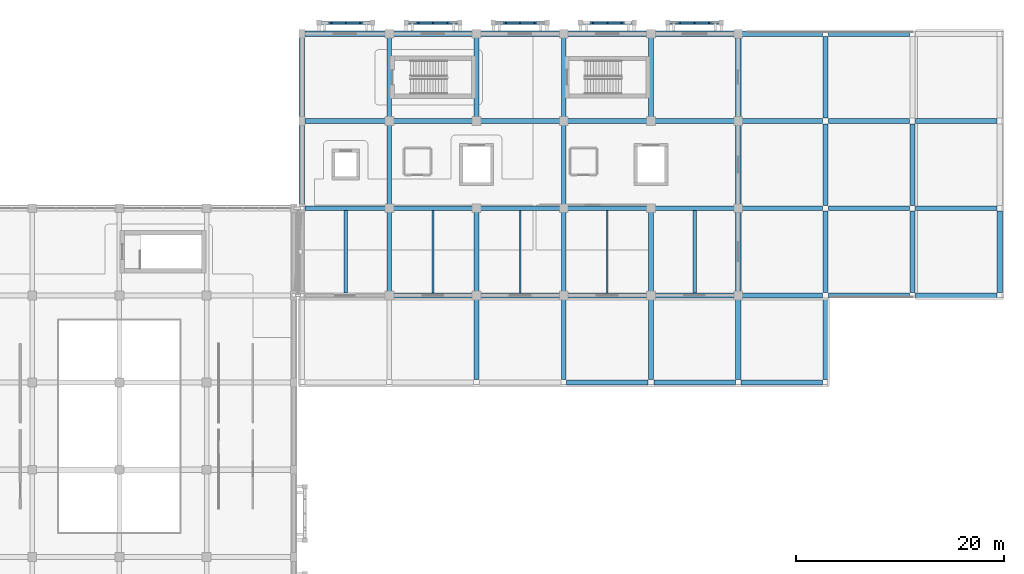
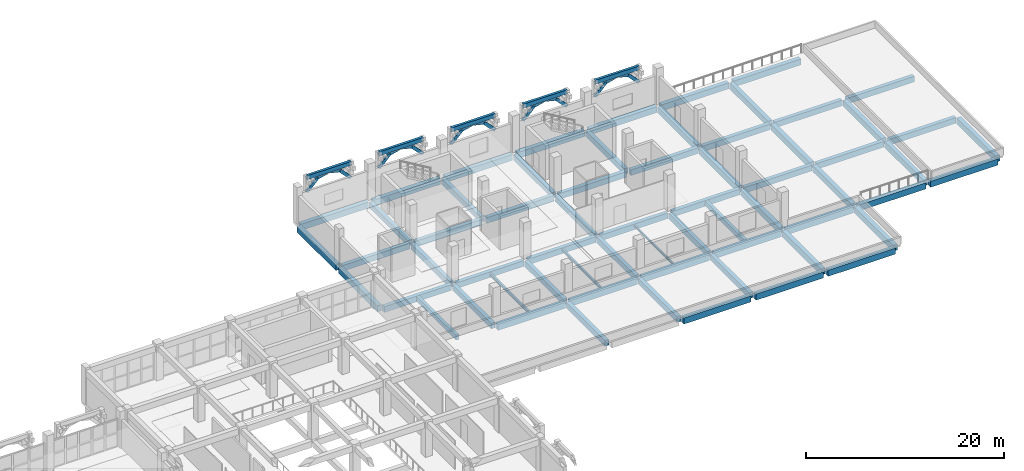
# One storey, part 70 of 129: 69 beams, 20 members.
"""IFC4 building model written with IfcOpenShell, lengths in metres."""

from ifc_helpers import new_model, si_unit, direction, frame, origin, origin_2d, place, context, subcontext, project, spatial, rectangle, i_section, extrude, material, material_profile, profile_set, type_object, element, save


model = new_model("IFC4")

# Units and contexts
model_context = context("Model", 3, precision=1e-05, world=origin(), true_north=direction((0.0, 1.0)))
body_context = subcontext(model_context, "Body", "Model", "MODEL_VIEW")
ifc_project = project(units=[si_unit("LENGTHUNIT", "METRE"), si_unit("AREAUNIT", "SQUARE_METRE"), si_unit("VOLUMEUNIT", "CUBIC_METRE"), si_unit("PLANEANGLEUNIT", "RADIAN"), si_unit("MASSUNIT", "GRAM", prefix="KILO")], contexts=[model_context])

# Site, building, storey
site_placement = place(None, origin())
site = spatial("IfcSite", under=ifc_project, at=site_placement, CompositionType="ELEMENT")
building_placement = place(site_placement, origin())
building = spatial("IfcBuilding", under=site, at=building_placement, Name="Xazarin Passage Department Store", CompositionType="ELEMENT")
storey_placement = place(building_placement, frame((0.0, 0.0, 9.89990234375)))
storey = spatial("IfcBuildingStorey", under=building, at=storey_placement, Name="L02", CompositionType="ELEMENT", Elevation=9.89990234375)

# Beams
ifc_material_1 = material(Name="Concrete C35/45", Category="concrete")
ifc_material_profile_1 = material_profile(ifc_material_1, rectangle(XDim=0.449951171875, YDim=0.699951171875, at=origin_2d()), Name="RC 450x700")
ifc_profile_set_1 = profile_set([ifc_material_profile_1], Name="Concrete C35/45")
beam_type_1 = type_object("IfcBeamType", Name="STR-BM-G450x700", PredefinedType="BEAM", material=ifc_profile_set_1)
beam_1_placement = place(storey_placement, frame((102.679931640625, 93.199951171875, -0.64990234375), z_axis=(1.0, 0.0, 0.0), x_axis=(0.0, 1.0, 0.0)))
element("IfcBeam", 1, at=beam_1_placement, inside=storey, type_object=beam_type_1, Name="L02 Grid Beam N/15-16", PredefinedType="BEAM", context=body_context, shape_type="SweptSolid", body=[
    extrude(rectangle(XDim=0.449951171875, YDim=0.699951171875, at=origin_2d()), origin(), (0.0, 0.0, 1.0), 7.840087890625),
])
beam_2_placement = place(storey_placement, frame((111.080078125, 93.199951171875, -0.64990234375), z_axis=(1.0, 0.0, 0.0), x_axis=(0.0, 1.0, 0.0)))
element("IfcBeam", 2, at=beam_2_placement, inside=storey, type_object=beam_type_1, Name="L02 Grid Beam N/16-17", PredefinedType="BEAM", context=body_context, shape_type="SweptSolid", body=[
    extrude(rectangle(XDim=0.449951171875, YDim=0.699951171875, at=origin_2d()), origin(), (0.0, 0.0, 1.0), 7.83984375),
])
for number, where, z_axis, x_axis, name in (
    (3, (119.47998046875, 93.199951171875, -0.64990234375), (1.0, 0.0, 0.0), (0.0, 1.0, 0.0), "L02 Grid Beam N/17-18"),
    (4, (127.8798828125, 93.199951171875, -0.64990234375), (1.0, 0.0, 0.0), (0.0, 1.0, 0.0), "L02 Grid Beam N/18-19"),
    (5, (136.280029296875, 93.199951171875, -0.64990234375), (1.0, 0.0, 0.0), (0.0, 1.0, 0.0), "L02 Grid Beam N/19-20"),
    (6, (144.679931640625, 93.199951171875, -0.64990234375), (1.0, 0.0, 0.0), (0.0, 1.0, 0.0), "L02 Grid Beam N/20-21"),
):
    element("IfcBeam", number, at=place(storey_placement, frame(where, z_axis=z_axis, x_axis=x_axis)), inside=storey, type_object=beam_type_1, Name=name, PredefinedType="BEAM", context=body_context, shape_type="SweptSolid", body=[
        extrude(rectangle(XDim=0.449951171875, YDim=0.699951171875, at=origin_2d()), origin(), (0.0, 0.0, 1.0), 7.840087890625),
    ])
beam_3_placement = place(storey_placement, frame((153.080078125, 93.199951171875, -0.64990234375), z_axis=(1.0, 0.0, 0.0), x_axis=(0.0, 1.0, 0.0)))
element("IfcBeam", 7, at=beam_3_placement, inside=storey, type_object=beam_type_1, Name="L02 Grid Beam N/21-22", PredefinedType="BEAM", context=body_context, shape_type="SweptSolid", body=[
    extrude(rectangle(XDim=0.449951171875, YDim=0.699951171875, at=origin_2d()), origin(), (0.0, 0.0, 1.0), 7.83984375),
])
for number, where, z_axis, x_axis, name in (
    (8, (161.47998046875, 93.199951171875, -0.64990234375), (1.0, 0.0, 0.0), (0.0, 1.0, 0.0), "L02 Grid Beam N/22-23"),
    (9, (102.679931640625, 101.60009765625, -0.64990234375), (1.0, 0.0, 0.0), (0.0, 1.0, 0.0), "L02 Grid Beam P/15-16"),
):
    element("IfcBeam", number, at=place(storey_placement, frame(where, z_axis=z_axis, x_axis=x_axis)), inside=storey, type_object=beam_type_1, Name=name, PredefinedType="BEAM", context=body_context, shape_type="SweptSolid", body=[
        extrude(rectangle(XDim=0.449951171875, YDim=0.699951171875, at=origin_2d()), origin(), (0.0, 0.0, 1.0), 7.840087890625),
    ])
beam_4_placement = place(storey_placement, frame((111.080078125, 101.60009765625, -0.64990234375), z_axis=(1.0, 0.0, 0.0), x_axis=(0.0, 1.0, 0.0)))
element("IfcBeam", 10, at=beam_4_placement, inside=storey, type_object=beam_type_1, Name="L02 Grid Beam P/16-17", PredefinedType="BEAM", context=body_context, shape_type="SweptSolid", body=[
    extrude(rectangle(XDim=0.449951171875, YDim=0.699951171875, at=origin_2d()), origin(), (0.0, 0.0, 1.0), 7.83984375),
])
for number, where, z_axis, x_axis, name in (
    (11, (119.47998046875, 101.60009765625, -0.64990234375), (1.0, 0.0, 0.0), (0.0, 1.0, 0.0), "L02 Grid Beam P/17-18"),
    (12, (127.8798828125, 101.60009765625, -0.64990234375), (1.0, 0.0, 0.0), (0.0, 1.0, 0.0), "L02 Grid Beam P/18-19"),
    (13, (136.280029296875, 101.60009765625, -0.64990234375), (1.0, 0.0, 0.0), (0.0, 1.0, 0.0), "L02 Grid Beam P/19-20"),
    (14, (144.679931640625, 101.60009765625, -0.64990234375), (1.0, 0.0, 0.0), (0.0, 1.0, 0.0), "L02 Grid Beam P/20-21"),
):
    element("IfcBeam", number, at=place(storey_placement, frame(where, z_axis=z_axis, x_axis=x_axis)), inside=storey, type_object=beam_type_1, Name=name, PredefinedType="BEAM", context=body_context, shape_type="SweptSolid", body=[
        extrude(rectangle(XDim=0.449951171875, YDim=0.699951171875, at=origin_2d()), origin(), (0.0, 0.0, 1.0), 7.840087890625),
    ])
beam_5_placement = place(storey_placement, frame((153.080078125, 101.60009765625, -0.64990234375), z_axis=(1.0, 0.0, 0.0), x_axis=(0.0, 1.0, 0.0)))
element("IfcBeam", 15, at=beam_5_placement, inside=storey, type_object=beam_type_1, Name="L02 Grid Beam P/21-22", PredefinedType="BEAM", context=body_context, shape_type="SweptSolid", body=[
    extrude(rectangle(XDim=0.449951171875, YDim=0.699951171875, at=origin_2d()), origin(), (0.0, 0.0, 1.0), 7.83984375),
])
beam_6_placement = place(storey_placement, frame((161.47998046875, 101.60009765625, -0.64990234375), z_axis=(1.0, 0.0, 0.0), x_axis=(0.0, 1.0, 0.0)))
element("IfcBeam", 16, at=beam_6_placement, inside=storey, type_object=beam_type_1, Name="L02 Grid Beam P/22-23", PredefinedType="BEAM", context=body_context, shape_type="SweptSolid", body=[
    extrude(rectangle(XDim=0.449951171875, YDim=0.699951171875, at=origin_2d()), origin(), (0.0, 0.0, 1.0), 7.840087890625),
])
beam_7_placement = place(storey_placement, frame((110.800048828125, 85.080078125, -0.64990234375), z_axis=(0.0, 1.0, 0.0), x_axis=(-1.0, 0.0, 0.0)))
element("IfcBeam", 17, at=beam_7_placement, inside=storey, type_object=beam_type_1, Name="L02 Grid Beam 16/M-N", PredefinedType="BEAM", context=body_context, shape_type="SweptSolid", body=[
    extrude(rectangle(XDim=0.449951171875, YDim=0.699951171875, at=origin_2d()), origin(), (0.0, 0.0, 1.0), 7.83984375),
])
for number, where, z_axis, x_axis, name in (
    (18, (110.800048828125, 93.47998046875, -0.64990234375), (0.0, 1.0, 0.0), (-1.0, 0.0, 0.0), "L02 Grid Beam 16/N-P"),
    (19, (110.800048828125, 101.8798828125, -0.64990234375), (0.0, 1.0, 0.0), (-1.0, 0.0, 0.0), "L02 Grid Beam 16/P-Q"),
    (20, (119.199951171875, 76.679931640625, -0.64990234375), (0.0, 1.0, 0.0), (-1.0, 0.0, 0.0), "L02 Grid Beam 17/L-M"),
):
    element("IfcBeam", number, at=place(storey_placement, frame(where, z_axis=z_axis, x_axis=x_axis)), inside=storey, type_object=beam_type_1, Name=name, PredefinedType="BEAM", context=body_context, shape_type="SweptSolid", body=[
        extrude(rectangle(XDim=0.449951171875, YDim=0.699951171875, at=origin_2d()), origin(), (0.0, 0.0, 1.0), 7.840087890625),
    ])
beam_8_placement = place(storey_placement, frame((119.199951171875, 85.080078125, -0.64990234375), z_axis=(0.0, 1.0, 0.0), x_axis=(-1.0, 0.0, 0.0)))
element("IfcBeam", 21, at=beam_8_placement, inside=storey, type_object=beam_type_1, Name="L02 Grid Beam 17/M-N", PredefinedType="BEAM", context=body_context, shape_type="SweptSolid", body=[
    extrude(rectangle(XDim=0.449951171875, YDim=0.699951171875, at=origin_2d()), origin(), (0.0, 0.0, 1.0), 7.83984375),
])
for number, where, z_axis, x_axis, name in (
    (22, (119.199951171875, 101.8798828125, -0.64990234375), (0.0, 1.0, 0.0), (-1.0, 0.0, 0.0), "L02 Grid Beam 17/P-Q"),
    (23, (127.60009765625, 76.679931640625, -0.64990234375), (0.0, 1.0, 0.0), (-1.0, 0.0, 0.0), "L02 Grid Beam 18/L-M"),
):
    element("IfcBeam", number, at=place(storey_placement, frame(where, z_axis=z_axis, x_axis=x_axis)), inside=storey, type_object=beam_type_1, Name=name, PredefinedType="BEAM", context=body_context, shape_type="SweptSolid", body=[
        extrude(rectangle(XDim=0.449951171875, YDim=0.699951171875, at=origin_2d()), origin(), (0.0, 0.0, 1.0), 7.840087890625),
    ])
beam_9_placement = place(storey_placement, frame((127.60009765625, 85.080078125, -0.64990234375), z_axis=(0.0, 1.0, 0.0), x_axis=(-1.0, 0.0, 0.0)))
element("IfcBeam", 24, at=beam_9_placement, inside=storey, type_object=beam_type_1, Name="L02 Grid Beam 18/M-N", PredefinedType="BEAM", context=body_context, shape_type="SweptSolid", body=[
    extrude(rectangle(XDim=0.449951171875, YDim=0.699951171875, at=origin_2d()), origin(), (0.0, 0.0, 1.0), 7.83984375),
])
for number, where, z_axis, x_axis, name in (
    (25, (127.60009765625, 93.47998046875, -0.64990234375), (0.0, 1.0, 0.0), (-1.0, 0.0, 0.0), "L02 Grid Beam 18/N-P"),
    (26, (127.60009765625, 101.8798828125, -0.64990234375), (0.0, 1.0, 0.0), (-1.0, 0.0, 0.0), "L02 Grid Beam 18/P-Q"),
    (27, (136.0, 76.679931640625, -0.64990234375), (0.0, 1.0, 0.0), (-1.0, 0.0, 0.0), "L02 Grid Beam 19/L-M"),
):
    element("IfcBeam", number, at=place(storey_placement, frame(where, z_axis=z_axis, x_axis=x_axis)), inside=storey, type_object=beam_type_1, Name=name, PredefinedType="BEAM", context=body_context, shape_type="SweptSolid", body=[
        extrude(rectangle(XDim=0.449951171875, YDim=0.699951171875, at=origin_2d()), origin(), (0.0, 0.0, 1.0), 7.840087890625),
    ])
beam_10_placement = place(storey_placement, frame((136.0, 85.080078125, -0.64990234375), z_axis=(0.0, 1.0, 0.0), x_axis=(-1.0, 0.0, 0.0)))
element("IfcBeam", 28, at=beam_10_placement, inside=storey, type_object=beam_type_1, Name="L02 Grid Beam 19/M-N", PredefinedType="BEAM", context=body_context, shape_type="SweptSolid", body=[
    extrude(rectangle(XDim=0.449951171875, YDim=0.699951171875, at=origin_2d()), origin(), (0.0, 0.0, 1.0), 7.83984375),
])
beam_11_placement = place(storey_placement, frame((136.0, 101.8798828125, -0.64990234375), z_axis=(0.0, 1.0, 0.0), x_axis=(-1.0, 0.0, 0.0)))
element("IfcBeam", 29, at=beam_11_placement, inside=storey, type_object=beam_type_1, Name="L02 Grid Beam 19/P-Q", PredefinedType="BEAM", context=body_context, shape_type="SweptSolid", body=[
    extrude(rectangle(XDim=0.449951171875, YDim=0.699951171875, at=origin_2d()), origin(), (0.0, 0.0, 1.0), 7.840087890625),
])
ifc_material_profile_2 = material_profile(ifc_material_1, rectangle(XDim=0.35009765625, YDim=0.60009765625, at=origin_2d()), Name="RC 350x600")
ifc_profile_set_2 = profile_set([ifc_material_profile_2], Name="Concrete C35/45")
beam_type_2 = type_object("IfcBeamType", Name="STR-BM-J350x600", PredefinedType="JOIST", material=ifc_profile_set_2)
for number, where, z_axis, x_axis, name in (
    (30, (106.60009765625, 85.02001953125, -0.599853515625), (0.0, 1.0, 0.0), (-1.0, 0.0, 0.0), "L02 Stockroom Secondary Joist 01"),
    (31, (140.199951171875, 85.02001953125, -0.599853515625), (0.0, 1.0, 0.0), (-1.0, 0.0, 0.0), "L02 Stockroom Secondary Joist 05"),
):
    element("IfcBeam", number, at=place(storey_placement, frame(where, z_axis=z_axis, x_axis=x_axis)), inside=storey, type_object=beam_type_2, Name=name, PredefinedType="JOIST", context=body_context, shape_type="SweptSolid", body=[
        extrude(rectangle(XDim=0.35009765625, YDim=0.60009765625, at=origin_2d()), origin(), (0.0, 0.0, 1.0), 7.9599609375),
    ])
ifc_material_profile_3 = material_profile(ifc_material_1, rectangle(XDim=0.300048828125, YDim=0.5, at=origin_2d()), Name="RC 300x500")
ifc_profile_set_3 = profile_set([ifc_material_profile_3], Name="Concrete C35/45")
beam_type_3 = type_object("IfcBeamType", Name="STR-BM-LN300x500", PredefinedType="LINTEL", material=ifc_profile_set_3)
beam_12_placement = place(storey_placement, frame((104.02001953125, 111.050048828125, 4.25), z_axis=(1.0, 0.0, 0.0), x_axis=(0.0, 1.0, 0.0)))
element("IfcBeam", 32, at=beam_12_placement, inside=storey, type_object=beam_type_3, Name="L02 V4 Colonnade Spandrel Beam 040", PredefinedType="LINTEL", context=body_context, shape_type="SweptSolid", body=[
    extrude(rectangle(XDim=0.300048828125, YDim=0.5, at=origin_2d()), origin(), (0.0, 0.0, 1.0), 5.159912109375),
])
beam_13_placement = place(storey_placement, frame((112.419921875, 111.050048828125, 4.25), z_axis=(1.0, 0.0, 0.0), x_axis=(0.0, 1.0, 0.0)))
element("IfcBeam", 33, at=beam_13_placement, inside=storey, type_object=beam_type_3, Name="L02 V4 Colonnade Spandrel Beam 041", PredefinedType="LINTEL", context=body_context, shape_type="SweptSolid", body=[
    extrude(rectangle(XDim=0.300048828125, YDim=0.5, at=origin_2d()), origin(), (0.0, 0.0, 1.0), 5.16015625),
])
for number, where, z_axis, x_axis, name in (
    (34, (120.820068359375, 111.050048828125, 4.25), (1.0, 0.0, 0.0), (0.0, 1.0, 0.0), "L02 V4 Colonnade Spandrel Beam 042"),
    (35, (129.219970703125, 111.050048828125, 4.25), (1.0, 0.0, 0.0), (0.0, 1.0, 0.0), "L02 V4 Colonnade Spandrel Beam 043"),
    (36, (137.6201171875, 111.050048828125, 4.25), (1.0, 0.0, 0.0), (0.0, 1.0, 0.0), "L02 V4 Colonnade Spandrel Beam 044"),
):
    element("IfcBeam", number, at=place(storey_placement, frame(where, z_axis=z_axis, x_axis=x_axis)), inside=storey, type_object=beam_type_3, Name=name, PredefinedType="LINTEL", context=body_context, shape_type="SweptSolid", body=[
        extrude(rectangle(XDim=0.300048828125, YDim=0.5, at=origin_2d()), origin(), (0.0, 0.0, 1.0), 5.159912109375),
    ])
ifc_material_2 = material(Name="Steel S355", Category="steel")
ifc_material_profile_4 = material_profile(ifc_material_2, i_section(OverallWidth=0.135009765625, OverallDepth=0.27001953125, WebThickness=0.006591796875, FlangeThickness=0.01025390625, FilletRadius=0.014892578125, at=origin_2d()), Name="IPE 270")
ifc_profile_set_4 = profile_set([ifc_material_profile_4], Name="Steel S355")
beam_type_4 = type_object("IfcBeamType", Name="STR-BM-SEC270", PredefinedType="LINTEL", material=ifc_profile_set_4)
beam_14_placement = place(storey_placement, frame((131.800048828125, 85.02001953125, -0.434814453125), z_axis=(0.0, 1.0, 0.0), x_axis=(-1.0, 0.0, 0.0)))
element("IfcBeam", 37, at=beam_14_placement, inside=storey, type_object=beam_type_4, Name="L02 Stockroom Secondary Joist 04", PredefinedType="LINTEL", context=body_context, shape_type="SweptSolid", body=[
    extrude(i_section(OverallWidth=0.135009765625, OverallDepth=0.27001953125, WebThickness=0.006591796875, FlangeThickness=0.01025390625, FilletRadius=0.014892578125, at=origin_2d()), origin(), (0.0, 0.0, 1.0), 7.9599609375),
])
ifc_material_profile_5 = material_profile(ifc_material_2, i_section(OverallWidth=0.159912109375, OverallDepth=0.330078125, WebThickness=0.007568359375, FlangeThickness=0.011474609375, FilletRadius=0.01806640625, at=origin_2d()), Name="IPE 330")
ifc_profile_set_5 = profile_set([ifc_material_profile_5], Name="Steel S355")
beam_type_5 = type_object("IfcBeamType", Name="STR-BM-SEC330", PredefinedType="JOIST", material=ifc_profile_set_5)
beam_15_placement = place(storey_placement, frame((123.39990234375, 85.02001953125, -0.46484375), z_axis=(0.0, 1.0, 0.0), x_axis=(-1.0, 0.0, 0.0)))
element("IfcBeam", 38, at=beam_15_placement, inside=storey, type_object=beam_type_5, Name="L02 Stockroom Secondary Joist 03", PredefinedType="JOIST", context=body_context, shape_type="SweptSolid", body=[
    extrude(i_section(OverallWidth=0.159912109375, OverallDepth=0.330078125, WebThickness=0.007568359375, FlangeThickness=0.011474609375, FilletRadius=0.01806640625, at=origin_2d()), origin(), (0.0, 0.0, 1.0), 7.9599609375),
])
ifc_material_profile_6 = material_profile(ifc_material_2, i_section(OverallWidth=0.179931640625, OverallDepth=0.39990234375, WebThickness=0.008544921875, FlangeThickness=0.013427734375, FilletRadius=0.02099609375, at=origin_2d()), Name="IPE 400")
ifc_profile_set_6 = profile_set([ifc_material_profile_6], Name="Steel S355")
beam_type_6 = type_object("IfcBeamType", Name="STR-BM-SEC400", PredefinedType="JOIST", material=ifc_profile_set_6)
beam_16_placement = place(storey_placement, frame((115.0, 85.02001953125, -0.5), z_axis=(0.0, 1.0, 0.0), x_axis=(-1.0, 0.0, 0.0)))
element("IfcBeam", 39, at=beam_16_placement, inside=storey, type_object=beam_type_6, Name="L02 Stockroom Secondary Joist 02", PredefinedType="JOIST", context=body_context, shape_type="SweptSolid", body=[
    extrude(i_section(OverallWidth=0.179931640625, OverallDepth=0.39990234375, WebThickness=0.008544921875, FlangeThickness=0.013427734375, FilletRadius=0.02099609375, at=origin_2d()), origin(), (0.0, 0.0, 1.0), 7.9599609375),
])
ifc_material_profile_7 = material_profile(ifc_material_1, rectangle(XDim=0.5, YDim=0.75, at=origin_2d()), Name="RC 500x750")
ifc_profile_set_7 = profile_set([ifc_material_profile_7], Name="Concrete C35/45")
beam_type_7 = type_object("IfcBeamType", Name="STR-BM-SP500x750", PredefinedType="SPANDREL", material=ifc_profile_set_7)
for number, where, z_axis, x_axis, name in (
    (40, (127.8798828125, 76.39990234375, -0.6748046875), (1.0, 0.0, 0.0), (0.0, 1.0, 0.0), "L02 Grid Beam L/18-19"),
    (41, (136.280029296875, 76.39990234375, -0.6748046875), (1.0, 0.0, 0.0), (0.0, 1.0, 0.0), "L02 Grid Beam L/19-20"),
    (42, (144.679931640625, 76.39990234375, -0.6748046875), (1.0, 0.0, 0.0), (0.0, 1.0, 0.0), "L02 Grid Beam L/20-21"),
):
    element("IfcBeam", number, at=place(storey_placement, frame(where, z_axis=z_axis, x_axis=x_axis)), inside=storey, type_object=beam_type_7, Name=name, PredefinedType="SPANDREL", context=body_context, shape_type="SweptSolid", body=[
        extrude(rectangle(XDim=0.5, YDim=0.75, at=origin_2d()), origin(), (0.0, 0.0, 1.0), 7.840087890625),
    ])
beam_17_placement = place(storey_placement, frame((111.080078125, 84.800048828125, -0.6748046875), z_axis=(1.0, 0.0, 0.0), x_axis=(0.0, 1.0, 0.0)))
element("IfcBeam", 43, at=beam_17_placement, inside=storey, type_object=beam_type_7, Name="L02 Grid Beam M/16-17", PredefinedType="SPANDREL", context=body_context, shape_type="SweptSolid", body=[
    extrude(rectangle(XDim=0.5, YDim=0.75, at=origin_2d()), origin(), (0.0, 0.0, 1.0), 7.83984375),
])
for number, where, z_axis, x_axis, name in (
    (44, (119.47998046875, 84.800048828125, -0.6748046875), (1.0, 0.0, 0.0), (0.0, 1.0, 0.0), "L02 Grid Beam M/17-18"),
    (45, (127.8798828125, 84.800048828125, -0.6748046875), (1.0, 0.0, 0.0), (0.0, 1.0, 0.0), "L02 Grid Beam M/18-19"),
    (46, (136.280029296875, 84.800048828125, -0.6748046875), (1.0, 0.0, 0.0), (0.0, 1.0, 0.0), "L02 Grid Beam M/19-20"),
    (47, (144.679931640625, 84.800048828125, -0.6748046875), (1.0, 0.0, 0.0), (0.0, 1.0, 0.0), "L02 Grid Beam M/20-21"),
):
    element("IfcBeam", number, at=place(storey_placement, frame(where, z_axis=z_axis, x_axis=x_axis)), inside=storey, type_object=beam_type_7, Name=name, PredefinedType="SPANDREL", context=body_context, shape_type="SweptSolid", body=[
        extrude(rectangle(XDim=0.5, YDim=0.75, at=origin_2d()), origin(), (0.0, 0.0, 1.0), 7.840087890625),
    ])
beam_18_placement = place(storey_placement, frame((153.080078125, 84.800048828125, -0.6748046875), z_axis=(1.0, 0.0, 0.0), x_axis=(0.0, 1.0, 0.0)))
element("IfcBeam", 48, at=beam_18_placement, inside=storey, type_object=beam_type_7, Name="L02 Grid Beam M/21-22", PredefinedType="SPANDREL", context=body_context, shape_type="SweptSolid", body=[
    extrude(rectangle(XDim=0.5, YDim=0.75, at=origin_2d()), origin(), (0.0, 0.0, 1.0), 7.83984375),
])
for number, where, z_axis, x_axis, name in (
    (49, (161.47998046875, 84.800048828125, -0.6748046875), (1.0, 0.0, 0.0), (0.0, 1.0, 0.0), "L02 Grid Beam M/22-23"),
    (50, (102.679931640625, 110.0, -0.6748046875), (1.0, 0.0, 0.0), (0.0, 1.0, 0.0), "L02 Grid Beam Q/15-16"),
):
    element("IfcBeam", number, at=place(storey_placement, frame(where, z_axis=z_axis, x_axis=x_axis)), inside=storey, type_object=beam_type_7, Name=name, PredefinedType="SPANDREL", context=body_context, shape_type="SweptSolid", body=[
        extrude(rectangle(XDim=0.5, YDim=0.75, at=origin_2d()), origin(), (0.0, 0.0, 1.0), 7.840087890625),
    ])
beam_19_placement = place(storey_placement, frame((111.080078125, 110.0, -0.6748046875), z_axis=(1.0, 0.0, 0.0), x_axis=(0.0, 1.0, 0.0)))
element("IfcBeam", 51, at=beam_19_placement, inside=storey, type_object=beam_type_7, Name="L02 Grid Beam Q/16-17", PredefinedType="SPANDREL", context=body_context, shape_type="SweptSolid", body=[
    extrude(rectangle(XDim=0.5, YDim=0.75, at=origin_2d()), origin(), (0.0, 0.0, 1.0), 7.83984375),
])
for number, where, z_axis, x_axis, name in (
    (52, (119.47998046875, 110.0, -0.6748046875), (1.0, 0.0, 0.0), (0.0, 1.0, 0.0), "L02 Grid Beam Q/17-18"),
    (53, (127.8798828125, 110.0, -0.6748046875), (1.0, 0.0, 0.0), (0.0, 1.0, 0.0), "L02 Grid Beam Q/18-19"),
    (54, (136.280029296875, 110.0, -0.6748046875), (1.0, 0.0, 0.0), (0.0, 1.0, 0.0), "L02 Grid Beam Q/19-20"),
    (55, (144.679931640625, 110.0, -0.6748046875), (1.0, 0.0, 0.0), (0.0, 1.0, 0.0), "L02 Grid Beam Q/20-21"),
):
    element("IfcBeam", number, at=place(storey_placement, frame(where, z_axis=z_axis, x_axis=x_axis)), inside=storey, type_object=beam_type_7, Name=name, PredefinedType="SPANDREL", context=body_context, shape_type="SweptSolid", body=[
        extrude(rectangle(XDim=0.5, YDim=0.75, at=origin_2d()), origin(), (0.0, 0.0, 1.0), 7.840087890625),
    ])
beam_20_placement = place(storey_placement, frame((153.080078125, 110.0, -0.6748046875), z_axis=(1.0, 0.0, 0.0), x_axis=(0.0, 1.0, 0.0)))
element("IfcBeam", 56, at=beam_20_placement, inside=storey, type_object=beam_type_7, Name="L02 Grid Beam Q/21-22", PredefinedType="SPANDREL", context=body_context, shape_type="SweptSolid", body=[
    extrude(rectangle(XDim=0.5, YDim=0.75, at=origin_2d()), origin(), (0.0, 0.0, 1.0), 7.83984375),
])
for number, where, z_axis, x_axis, name in (
    (57, (102.39990234375, 93.47998046875, -0.6748046875), (0.0, 1.0, 0.0), (-1.0, 0.0, 0.0), "L02 Grid Beam 15/N-P"),
    (58, (102.39990234375, 101.8798828125, -0.6748046875), (0.0, 1.0, 0.0), (-1.0, 0.0, 0.0), "L02 Grid Beam 15/P-Q"),
    (59, (144.39990234375, 76.679931640625, -0.6748046875), (0.0, 1.0, 0.0), (-1.0, 0.0, 0.0), "L02 Grid Beam 20/L-M"),
):
    element("IfcBeam", number, at=place(storey_placement, frame(where, z_axis=z_axis, x_axis=x_axis)), inside=storey, type_object=beam_type_7, Name=name, PredefinedType="SPANDREL", context=body_context, shape_type="SweptSolid", body=[
        extrude(rectangle(XDim=0.5, YDim=0.75, at=origin_2d()), origin(), (0.0, 0.0, 1.0), 7.840087890625),
    ])
beam_21_placement = place(storey_placement, frame((144.39990234375, 85.080078125, -0.6748046875), z_axis=(0.0, 1.0, 0.0), x_axis=(-1.0, 0.0, 0.0)))
element("IfcBeam", 60, at=beam_21_placement, inside=storey, type_object=beam_type_7, Name="L02 Grid Beam 20/M-N", PredefinedType="SPANDREL", context=body_context, shape_type="SweptSolid", body=[
    extrude(rectangle(XDim=0.5, YDim=0.75, at=origin_2d()), origin(), (0.0, 0.0, 1.0), 7.83984375),
])
for number, where, z_axis, x_axis, name in (
    (61, (144.39990234375, 93.47998046875, -0.6748046875), (0.0, 1.0, 0.0), (-1.0, 0.0, 0.0), "L02 Grid Beam 20/N-P"),
    (62, (144.39990234375, 101.8798828125, -0.6748046875), (0.0, 1.0, 0.0), (-1.0, 0.0, 0.0), "L02 Grid Beam 20/P-Q"),
    (63, (152.800048828125, 76.679931640625, -0.6748046875), (0.0, 1.0, 0.0), (-1.0, 0.0, 0.0), "L02 Grid Beam 21/L-M"),
):
    element("IfcBeam", number, at=place(storey_placement, frame(where, z_axis=z_axis, x_axis=x_axis)), inside=storey, type_object=beam_type_7, Name=name, PredefinedType="SPANDREL", context=body_context, shape_type="SweptSolid", body=[
        extrude(rectangle(XDim=0.5, YDim=0.75, at=origin_2d()), origin(), (0.0, 0.0, 1.0), 7.840087890625),
    ])
beam_22_placement = place(storey_placement, frame((152.800048828125, 85.080078125, -0.6748046875), z_axis=(0.0, 1.0, 0.0), x_axis=(-1.0, 0.0, 0.0)))
element("IfcBeam", 64, at=beam_22_placement, inside=storey, type_object=beam_type_7, Name="L02 Grid Beam 21/M-N", PredefinedType="SPANDREL", context=body_context, shape_type="SweptSolid", body=[
    extrude(rectangle(XDim=0.5, YDim=0.75, at=origin_2d()), origin(), (0.0, 0.0, 1.0), 7.83984375),
])
for number, where, z_axis, x_axis, name in (
    (65, (152.800048828125, 93.47998046875, -0.6748046875), (0.0, 1.0, 0.0), (-1.0, 0.0, 0.0), "L02 Grid Beam 21/N-P"),
    (66, (152.800048828125, 101.8798828125, -0.6748046875), (0.0, 1.0, 0.0), (-1.0, 0.0, 0.0), "L02 Grid Beam 21/P-Q"),
):
    element("IfcBeam", number, at=place(storey_placement, frame(where, z_axis=z_axis, x_axis=x_axis)), inside=storey, type_object=beam_type_7, Name=name, PredefinedType="SPANDREL", context=body_context, shape_type="SweptSolid", body=[
        extrude(rectangle(XDim=0.5, YDim=0.75, at=origin_2d()), origin(), (0.0, 0.0, 1.0), 7.840087890625),
    ])
beam_23_placement = place(storey_placement, frame((161.199951171875, 85.080078125, -0.6748046875), z_axis=(0.0, 1.0, 0.0), x_axis=(-1.0, 0.0, 0.0)))
element("IfcBeam", 67, at=beam_23_placement, inside=storey, type_object=beam_type_7, Name="L02 Grid Beam 22/M-N", PredefinedType="SPANDREL", context=body_context, shape_type="SweptSolid", body=[
    extrude(rectangle(XDim=0.5, YDim=0.75, at=origin_2d()), origin(), (0.0, 0.0, 1.0), 7.83984375),
])
beam_24_placement = place(storey_placement, frame((161.199951171875, 93.47998046875, -0.6748046875), z_axis=(0.0, 1.0, 0.0), x_axis=(-1.0, 0.0, 0.0)))
element("IfcBeam", 68, at=beam_24_placement, inside=storey, type_object=beam_type_7, Name="L02 Grid Beam 22/N-P", PredefinedType="SPANDREL", context=body_context, shape_type="SweptSolid", body=[
    extrude(rectangle(XDim=0.5, YDim=0.75, at=origin_2d()), origin(), (0.0, 0.0, 1.0), 7.840087890625),
])
beam_25_placement = place(storey_placement, frame((169.60009765625, 85.080078125, -0.6748046875), z_axis=(0.0, 1.0, 0.0), x_axis=(-1.0, 0.0, 0.0)))
element("IfcBeam", 69, at=beam_25_placement, inside=storey, type_object=beam_type_7, Name="L02 Grid Beam 23/M-N", PredefinedType="SPANDREL", context=body_context, shape_type="SweptSolid", body=[
    extrude(rectangle(XDim=0.5, YDim=0.75, at=origin_2d()), origin(), (0.0, 0.0, 1.0), 7.83984375),
])

# Members
ifc_material_3 = material(Name="Concrete C40/50", Category="concrete")
ifc_material_profile_8 = material_profile(ifc_material_3, rectangle(XDim=0.199951171875, YDim=0.360107421875, at=origin_2d()), Name="RC 200x360")
ifc_profile_set_8 = profile_set([ifc_material_profile_8], Name="Concrete C40/50")
member_type = type_object("IfcMemberType", Name="STR-MEM-ARC360", PredefinedType="CHORD", material=ifc_profile_set_8)
member_1_placement = place(storey_placement, frame((104.02001953125, 111.050048828125, 2.43017578125), z_axis=(0.693460080602, 0.0, 0.720495049679), x_axis=(0.0, 1.0, 0.0)))
element("IfcMember", 70, at=member_1_placement, inside=storey, type_object=member_type, Name="L02 V4 Pierced Lattice Curved Arch 040.1", PredefinedType="CHORD", context=body_context, shape_type="SweptSolid", body=[
    extrude(rectangle(XDim=0.199951171875, YDim=0.360107421875, at=origin_2d()), origin(), (0.0, 0.0, 1.0), 1.8603515625),
])
member_2_placement = place(storey_placement, frame((105.31005859375, 111.050048828125, 3.7705078125), z_axis=(0.972393983317, 0.0, 0.233345111818), x_axis=(0.0, 1.0, 0.0)))
element("IfcMember", 71, at=member_2_placement, inside=storey, type_object=member_type, Name="L02 V4 Pierced Lattice Curved Arch 040.2", PredefinedType="CHORD", context=body_context, shape_type="SweptSolid", body=[
    extrude(rectangle(XDim=0.199951171875, YDim=0.360107421875, at=origin_2d()), origin(), (0.0, 0.0, 1.0), 1.32666015625),
])
member_3_placement = place(storey_placement, frame((106.60009765625, 111.050048828125, 4.080078125), z_axis=(0.972383960415, 0.0, -0.233386875224), x_axis=(0.0, 1.0, 0.0)))
element("IfcMember", 72, at=member_3_placement, inside=storey, type_object=member_type, Name="L02 V4 Pierced Lattice Curved Arch 040.3", PredefinedType="CHORD", context=body_context, shape_type="SweptSolid", body=[
    extrude(rectangle(XDim=0.199951171875, YDim=0.360107421875, at=origin_2d()), origin(), (0.0, 0.0, 1.0), 1.326416015625),
])
for number, where, z_axis, x_axis, name in (
    (73, (107.889892578125, 111.050048828125, 3.7705078125), (0.693460080602, 0.0, -0.720495049679), (0.0, 1.0, 0.0), "L02 V4 Pierced Lattice Curved Arch 040.4"),
    (74, (112.419921875, 111.050048828125, 2.43017578125), (0.693460080602, 0.0, 0.720495049679), (0.0, 1.0, 0.0), "L02 V4 Pierced Lattice Curved Arch 041.1"),
):
    element("IfcMember", number, at=place(storey_placement, frame(where, z_axis=z_axis, x_axis=x_axis)), inside=storey, type_object=member_type, Name=name, PredefinedType="CHORD", context=body_context, shape_type="SweptSolid", body=[
        extrude(rectangle(XDim=0.199951171875, YDim=0.360107421875, at=origin_2d()), origin(), (0.0, 0.0, 1.0), 1.8603515625),
    ])
for number, where, z_axis, x_axis, name in (
    (75, (113.7099609375, 111.050048828125, 3.7705078125), (0.972393983317, 0.0, 0.233345111818), (0.0, 1.0, 0.0), "L02 V4 Pierced Lattice Curved Arch 041.2"),
    (76, (115.0, 111.050048828125, 4.080078125), (0.972393983317, 0.0, -0.233345111818), (0.0, 1.0, 0.0), "L02 V4 Pierced Lattice Curved Arch 041.3"),
):
    element("IfcMember", number, at=place(storey_placement, frame(where, z_axis=z_axis, x_axis=x_axis)), inside=storey, type_object=member_type, Name=name, PredefinedType="CHORD", context=body_context, shape_type="SweptSolid", body=[
        extrude(rectangle(XDim=0.199951171875, YDim=0.360107421875, at=origin_2d()), origin(), (0.0, 0.0, 1.0), 1.32666015625),
    ])
for number, where, z_axis, x_axis, name in (
    (77, (116.2900390625, 111.050048828125, 3.7705078125), (0.693460080602, 0.0, -0.720495049679), (0.0, 1.0, 0.0), "L02 V4 Pierced Lattice Curved Arch 041.4"),
    (78, (120.820068359375, 111.050048828125, 2.43017578125), (0.693460080602, 0.0, 0.720495049679), (0.0, 1.0, 0.0), "L02 V4 Pierced Lattice Curved Arch 042.1"),
):
    element("IfcMember", number, at=place(storey_placement, frame(where, z_axis=z_axis, x_axis=x_axis)), inside=storey, type_object=member_type, Name=name, PredefinedType="CHORD", context=body_context, shape_type="SweptSolid", body=[
        extrude(rectangle(XDim=0.199951171875, YDim=0.360107421875, at=origin_2d()), origin(), (0.0, 0.0, 1.0), 1.8603515625),
    ])
member_4_placement = place(storey_placement, frame((122.110107421875, 111.050048828125, 3.7705078125), z_axis=(0.972383960415, 0.0, 0.233386875224), x_axis=(0.0, 1.0, 0.0)))
element("IfcMember", 79, at=member_4_placement, inside=storey, type_object=member_type, Name="L02 V4 Pierced Lattice Curved Arch 042.2", PredefinedType="CHORD", context=body_context, shape_type="SweptSolid", body=[
    extrude(rectangle(XDim=0.199951171875, YDim=0.360107421875, at=origin_2d()), origin(), (0.0, 0.0, 1.0), 1.326416015625),
])
member_5_placement = place(storey_placement, frame((123.39990234375, 111.050048828125, 4.080078125), z_axis=(0.972393983317, 0.0, -0.233345111818), x_axis=(0.0, 1.0, 0.0)))
element("IfcMember", 80, at=member_5_placement, inside=storey, type_object=member_type, Name="L02 V4 Pierced Lattice Curved Arch 042.3", PredefinedType="CHORD", context=body_context, shape_type="SweptSolid", body=[
    extrude(rectangle(XDim=0.199951171875, YDim=0.360107421875, at=origin_2d()), origin(), (0.0, 0.0, 1.0), 1.32666015625),
])
for number, where, z_axis, x_axis, name in (
    (81, (124.68994140625, 111.050048828125, 3.7705078125), (0.693460080602, 0.0, -0.720495049679), (0.0, 1.0, 0.0), "L02 V4 Pierced Lattice Curved Arch 042.4"),
    (82, (129.219970703125, 111.050048828125, 2.43017578125), (0.693460080602, 0.0, 0.720495049679), (0.0, 1.0, 0.0), "L02 V4 Pierced Lattice Curved Arch 043.1"),
):
    element("IfcMember", number, at=place(storey_placement, frame(where, z_axis=z_axis, x_axis=x_axis)), inside=storey, type_object=member_type, Name=name, PredefinedType="CHORD", context=body_context, shape_type="SweptSolid", body=[
        extrude(rectangle(XDim=0.199951171875, YDim=0.360107421875, at=origin_2d()), origin(), (0.0, 0.0, 1.0), 1.8603515625),
    ])
for number, where, z_axis, x_axis, name in (
    (83, (130.510009765625, 111.050048828125, 3.7705078125), (0.972393983317, 0.0, 0.233345111818), (0.0, 1.0, 0.0), "L02 V4 Pierced Lattice Curved Arch 043.2"),
    (84, (131.800048828125, 111.050048828125, 4.080078125), (0.972393983317, 0.0, -0.233345111818), (0.0, 1.0, 0.0), "L02 V4 Pierced Lattice Curved Arch 043.3"),
):
    element("IfcMember", number, at=place(storey_placement, frame(where, z_axis=z_axis, x_axis=x_axis)), inside=storey, type_object=member_type, Name=name, PredefinedType="CHORD", context=body_context, shape_type="SweptSolid", body=[
        extrude(rectangle(XDim=0.199951171875, YDim=0.360107421875, at=origin_2d()), origin(), (0.0, 0.0, 1.0), 1.32666015625),
    ])
for number, where, z_axis, x_axis, name in (
    (85, (133.090087890625, 111.050048828125, 3.7705078125), (0.693391944082, 0.0, -0.720560623322), (0.0, 1.0, 0.0), "L02 V4 Pierced Lattice Curved Arch 043.4"),
    (86, (137.6201171875, 111.050048828125, 2.43017578125), (0.693391944082, 0.0, 0.720560623322), (0.0, 1.0, 0.0), "L02 V4 Pierced Lattice Curved Arch 044.1"),
):
    element("IfcMember", number, at=place(storey_placement, frame(where, z_axis=z_axis, x_axis=x_axis)), inside=storey, type_object=member_type, Name=name, PredefinedType="CHORD", context=body_context, shape_type="SweptSolid", body=[
        extrude(rectangle(XDim=0.199951171875, YDim=0.360107421875, at=origin_2d()), origin(), (0.0, 0.0, 1.0), 1.860107421875),
    ])
for number, where, z_axis, x_axis, name in (
    (87, (138.909912109375, 111.050048828125, 3.7705078125), (0.972393983317, 0.0, 0.233345111818), (0.0, 1.0, 0.0), "L02 V4 Pierced Lattice Curved Arch 044.2"),
    (88, (140.199951171875, 111.050048828125, 4.080078125), (0.972393983317, 0.0, -0.233345111818), (0.0, 1.0, 0.0), "L02 V4 Pierced Lattice Curved Arch 044.3"),
):
    element("IfcMember", number, at=place(storey_placement, frame(where, z_axis=z_axis, x_axis=x_axis)), inside=storey, type_object=member_type, Name=name, PredefinedType="CHORD", context=body_context, shape_type="SweptSolid", body=[
        extrude(rectangle(XDim=0.199951171875, YDim=0.360107421875, at=origin_2d()), origin(), (0.0, 0.0, 1.0), 1.32666015625),
    ])
member_6_placement = place(storey_placement, frame((141.489990234375, 111.050048828125, 3.7705078125), z_axis=(0.693460080602, 0.0, -0.720495049679), x_axis=(0.0, 1.0, 0.0)))
element("IfcMember", 89, at=member_6_placement, inside=storey, type_object=member_type, Name="L02 V4 Pierced Lattice Curved Arch 044.4", PredefinedType="CHORD", context=body_context, shape_type="SweptSolid", body=[
    extrude(rectangle(XDim=0.199951171875, YDim=0.360107421875, at=origin_2d()), origin(), (0.0, 0.0, 1.0), 1.8603515625),
])

save(model, "model.ifc")
